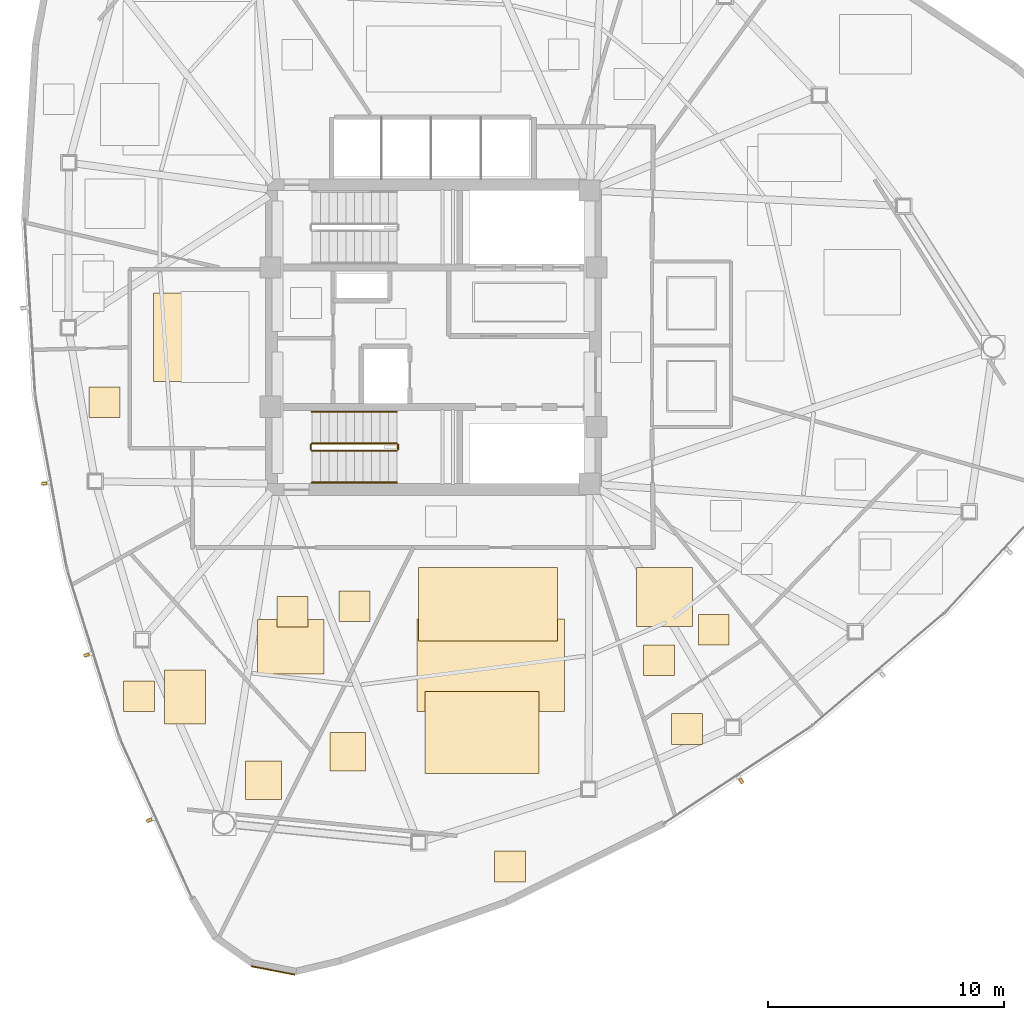
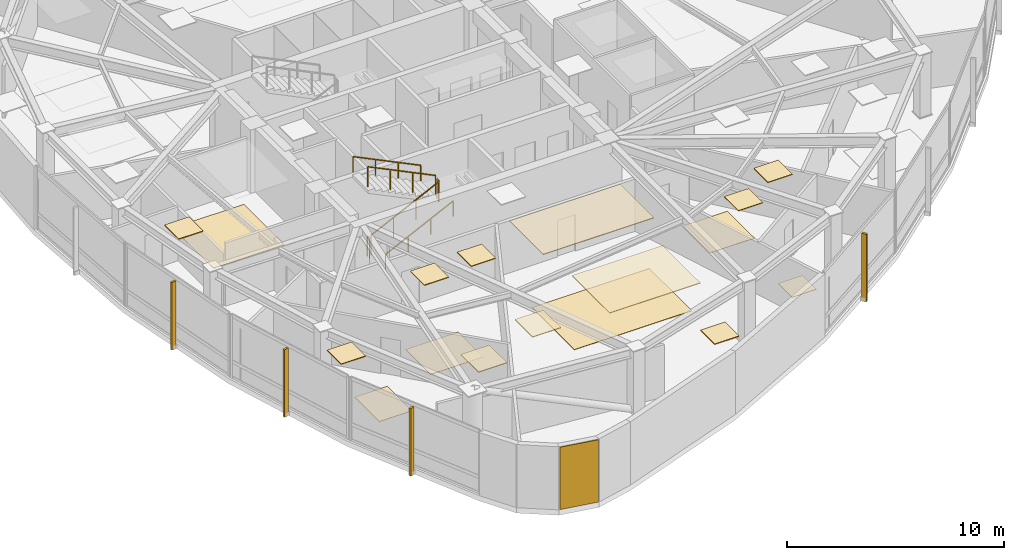
# One storey, part 14 of 17: 18 coverings, 6 railings, 4 shading devices.
"""IFC4 building model written with IfcOpenShell, lengths in metres."""

from ifc_helpers import new_model, si_unit, direction, frame, origin, origin_2d, place, context, subcontext, project, spatial, polyline, rectangle, outline, extrude, source, transform, mapped, material, layer, layer_set, type_object, type_shapes, element, save


model = new_model("IFC4")

# Units and contexts
model_context = context("Model", 3, precision=1e-05, world=origin(), true_north=direction((0.0, 1.0)))
body_context = subcontext(model_context, "Body", "Model", "MODEL_VIEW")
ifc_project = project(units=[si_unit("LENGTHUNIT", "METRE"), si_unit("AREAUNIT", "SQUARE_METRE"), si_unit("VOLUMEUNIT", "CUBIC_METRE"), si_unit("PLANEANGLEUNIT", "RADIAN"), si_unit("MASSUNIT", "GRAM", prefix="KILO")], contexts=[model_context])

# Site, building, storey
site_placement = place(None, origin())
site = spatial("IfcSite", under=ifc_project, at=site_placement, CompositionType="ELEMENT")
building_placement = place(site_placement, origin())
building = spatial("IfcBuilding", under=site, at=building_placement, Name="Tavelor Broadcast Tower", CompositionType="ELEMENT")
storey_placement = place(building_placement, frame((0.0, 0.0, 188.75)))
storey = spatial("IfcBuildingStorey", under=building, at=storey_placement, Name="L45", CompositionType="ELEMENT", Elevation=188.75)

# Covering
ifc_material_1 = material(Name="Copper-Bronze Anodized Aluminium", Category="aluminium")
ifc_layer_1 = layer(ifc_material_1, 0.050048828125)
ifc_layer_set_1 = layer_set([ifc_layer_1], Name="Copper-Bronze Anodized Aluminium")
covering_type_1 = type_object("IfcCoveringType", Name="Champagne-Bronze Corner Pier Metal Cladding 50 mm", PredefinedType="CLADDING", material=ifc_layer_set_1)
covering_1_placement = place(storey_placement, frame((43.215087890625, 18.20751953125, 0.02001953125), z_axis=(0.0, 0.0, 1.0), x_axis=(0.981793321911, -0.189952291512, 0.0)))
element("IfcCovering", 1, at=covering_1_placement, inside=storey, type_object=covering_type_1, Name="L45 Champagne-Bronze Corner Cladding 13", PredefinedType="CLADDING", context=body_context, shape_type="SweptSolid", body=[
    extrude(rectangle(XDim=1.86279296875, YDim=0.050048828125, at=origin_2d()), origin(), (0.0, 0.0, 1.0), 3.510009765625),
])

# Railings
ifc_material_2 = material(Name="Steel S355", Category="steel")
railing_type_1 = type_object("IfcRailingType", Name="Continuous Brushed Stainless Handrail 900 mm", PredefinedType="HANDRAIL", material=ifc_material_2)
railing_1_placement = place(storey_placement, frame((44.85009765625, 38.85009765625, 0.175048828125)))
element("IfcRailing", 2, at=railing_1_placement, inside=storey, type_object=railing_type_1, Name="L45 ST2 stair handrail 1", PredefinedType="HANDRAIL", context=body_context, shape_type="SweptSolid", body=[
    extrude(rectangle(XDim=0.048095703125, YDim=0.048095703125, at=origin_2d()), frame((0.0, 0.0, 0.8759765625), z_axis=(0.899360859046, 0.0, 0.437207096483), x_axis=(0.0, 1.0, 0.0)), (0.0, 0.0, 1.0), 4.002685546875),
    extrude(rectangle(XDim=0.0419921875, YDim=0.0419921875, at=origin_2d()), origin(), (0.0, 0.0, 1.0), 0.851806640625),
    extrude(rectangle(XDim=0.0419921875, YDim=0.0419921875, at=origin_2d()), frame((1.199951171875, 0.0, 0.583251953125)), (0.0, 0.0, 1.0), 0.851806640625),
    extrude(rectangle(XDim=0.0419921875, YDim=0.0419921875, at=origin_2d()), frame((2.39990234375, 0.0, 1.166748046875)), (0.0, 0.0, 1.0), 0.851806640625),
    extrude(rectangle(XDim=0.0419921875, YDim=0.0419921875, at=origin_2d()), frame((3.599853515625, 0.0, 1.75)), (0.0, 0.0, 1.0), 0.851806640625),
])
railing_2_placement = place(storey_placement, frame((48.449951171875, 41.85009765625, 2.10009765625)))
element("IfcRailing", 3, at=railing_2_placement, inside=storey, type_object=railing_type_1, Name="L45 ST2 stair handrail 2", PredefinedType="HANDRAIL", context=body_context, shape_type="SweptSolid", body=[
    extrude(rectangle(XDim=0.048095703125, YDim=0.048095703125, at=origin_2d()), frame((0.0, 0.0, 0.8759765625), z_axis=(-0.899360859046, 0.0, 0.437207096483), x_axis=(0.0, -1.0, 0.0)), (0.0, 0.0, 1.0), 4.002685546875),
    extrude(rectangle(XDim=0.0419921875, YDim=0.0419921875, at=origin_2d()), origin(), (0.0, 0.0, 1.0), 0.851806640625),
    extrude(rectangle(XDim=0.0419921875, YDim=0.0419921875, at=origin_2d()), frame((-1.199951171875, 0.0, 0.583251953125)), (0.0, 0.0, 1.0), 0.851806640625),
    extrude(rectangle(XDim=0.0419921875, YDim=0.0419921875, at=origin_2d()), frame((-2.39990234375, 0.0, 1.166748046875)), (0.0, 0.0, 1.0), 0.851806640625),
    extrude(rectangle(XDim=0.0419921875, YDim=0.0419921875, at=origin_2d()), frame((-3.599853515625, 0.0, 1.75)), (0.0, 0.0, 1.0), 0.851806640625),
])

# Coverings
ifc_material_3 = material(Name="Acoustic Nylon Carpet Tile")
ifc_layer_2 = layer(ifc_material_3, 0.02001953125)
ifc_layer_set_2 = layer_set([ifc_layer_2], Name="Acoustic Nylon Carpet Tile")
covering_type_2 = type_object("IfcCoveringType", Name="Heavy-Duty Acoustic Broadcast Carpet Tile 20 mm", PredefinedType="FLOORING", material=ifc_layer_set_2)
covering_2_placement = place(storey_placement, origin())
element("IfcCovering", 4, at=covering_2_placement, inside=storey, type_object=covering_type_2, Name="L45 Broadcast Floor Finish 0675", PredefinedType="FLOORING", context=body_context, shape_type="SweptSolid", body=[
    extrude(outline(polyline([(38.15771484375, 43.12890625), (41.942138671875, 43.12890625), (41.942138671875, 46.87060546875), (38.15771484375, 46.87060546875), (38.15771484375, 43.12890625)])), origin(), (0.0, 0.0, 1.0), 0.02001953125),
])
covering_3_placement = place(storey_placement, origin())
element("IfcCovering", 5, at=covering_3_placement, inside=storey, type_object=covering_type_2, Name="L45 Broadcast Floor Finish 0680", PredefinedType="FLOORING", context=body_context, shape_type="SweptSolid", body=[
    extrude(outline(polyline([(60.071533203125, 27.77685546875), (61.37158203125, 27.77685546875), (61.37158203125, 29.076904296875), (60.071533203125, 29.076904296875), (60.071533203125, 27.77685546875)])), origin(), (0.0, 0.0, 1.0), 0.02001953125),
])
covering_4_placement = place(storey_placement, origin())
element("IfcCovering", 6, at=covering_4_placement, inside=storey, type_object=covering_type_2, Name="L45 Broadcast Floor Finish 0681", PredefinedType="FLOORING", context=body_context, shape_type="SweptSolid", body=[
    extrude(outline(polyline([(49.29248046875, 29.156982421875), (55.537353515625, 29.156982421875), (55.537353515625, 33.07080078125), (49.29248046875, 33.07080078125), (49.29248046875, 29.156982421875)])), origin(), (0.0, 0.0, 1.0), 0.02001953125),
])
covering_5_placement = place(storey_placement, origin())
element("IfcCovering", 7, at=covering_5_placement, inside=storey, type_object=covering_type_2, Name="L45 Broadcast Floor Finish 0682", PredefinedType="FLOORING", context=body_context, shape_type="SweptSolid", body=[
    extrude(outline(polyline([(38.626953125, 28.643798828125), (40.3623046875, 28.643798828125), (40.3623046875, 30.92333984375), (38.626953125, 30.92333984375), (38.626953125, 28.643798828125)])), origin(), (0.0, 0.0, 1.0), 0.02001953125),
])
covering_6_placement = place(storey_placement, origin())
element("IfcCovering", 8, at=covering_6_placement, inside=storey, type_object=covering_type_2, Name="L45 Broadcast Floor Finish 0688", PredefinedType="FLOORING", context=body_context, shape_type="SweptSolid", body=[
    extrude(outline(polyline([(58.586181640625, 32.7587890625), (60.952392578125, 32.7587890625), (60.952392578125, 35.264892578125), (58.586181640625, 35.264892578125), (58.586181640625, 32.7587890625)])), origin(), (0.0, 0.0, 1.0), 0.02001953125),
])
covering_7_placement = place(storey_placement, origin())
element("IfcCovering", 9, at=covering_7_placement, inside=storey, type_object=covering_type_2, Name="L45 Broadcast Floor Finish 0689", PredefinedType="FLOORING", context=body_context, shape_type="SweptSolid", body=[
    extrude(outline(polyline([(42.562744140625, 30.74267578125), (45.366943359375, 30.74267578125), (45.366943359375, 33.064208984375), (42.562744140625, 33.064208984375), (42.562744140625, 30.74267578125)])), origin(), (0.0, 0.0, 1.0), 0.02001953125),
])

# Railings
railing_type_2 = type_object("IfcRailingType", Name="Stairwell Steel Safety Guardrail 1150 mm", PredefinedType="GUARDRAIL", material=ifc_material_2)
railing_3_placement = place(storey_placement, frame((44.85009765625, 40.199951171875, 0.175048828125)))
element("IfcRailing", 10, at=railing_3_placement, inside=storey, type_object=railing_type_2, Name="L45 ST2 stair guard 1", PredefinedType="GUARDRAIL", context=body_context, shape_type="SweptSolid", body=[
    extrude(rectangle(XDim=0.048095703125, YDim=0.048095703125, at=origin_2d()), frame((0.0, 0.0, 1.1259765625), z_axis=(0.899360859046, 0.0, 0.437207096483), x_axis=(0.0, 1.0, 0.0)), (0.0, 0.0, 1.0), 4.002685546875),
    extrude(rectangle(XDim=0.0419921875, YDim=0.0419921875, at=origin_2d()), origin(), (0.0, 0.0, 1.0), 1.101806640625),
    extrude(rectangle(XDim=0.0419921875, YDim=0.0419921875, at=origin_2d()), frame((1.199951171875, 0.0, 0.583251953125)), (0.0, 0.0, 1.0), 1.101806640625),
    extrude(rectangle(XDim=0.0419921875, YDim=0.0419921875, at=origin_2d()), frame((2.39990234375, 0.0, 1.166748046875)), (0.0, 0.0, 1.0), 1.101806640625),
    extrude(rectangle(XDim=0.0419921875, YDim=0.0419921875, at=origin_2d()), frame((3.599853515625, 0.0, 1.75)), (0.0, 0.0, 1.0), 1.101806640625),
])
railing_4_placement = place(storey_placement, frame((48.5, 40.25, 1.925048828125)))
element("IfcRailing", 11, at=railing_4_placement, inside=storey, type_object=railing_type_2, Name="L45 ST2 stair guard 2", PredefinedType="GUARDRAIL", context=body_context, shape_type="SweptSolid", body=[
    extrude(rectangle(XDim=0.048095703125, YDim=0.048095703125, at=origin_2d()), frame((0.0, 0.0, 1.1259765625), z_axis=(0.0, 1.0, 0.0), x_axis=(-1.0, 0.0, 0.0)), (0.0, 0.0, 1.0), 0.199951171875),
    extrude(rectangle(XDim=0.0419921875, YDim=0.0419921875, at=origin_2d()), origin(), (0.0, 0.0, 1.0), 1.101806640625),
    extrude(rectangle(XDim=0.0419921875, YDim=0.0419921875, at=origin_2d()), frame((0.0, 0.199951171875, 0.0)), (0.0, 0.0, 1.0), 1.101806640625),
])
railing_5_placement = place(storey_placement, frame((48.449951171875, 40.5, 2.10009765625)))
element("IfcRailing", 12, at=railing_5_placement, inside=storey, type_object=railing_type_2, Name="L45 ST2 stair guard 3", PredefinedType="GUARDRAIL", context=body_context, shape_type="SweptSolid", body=[
    extrude(rectangle(XDim=0.048095703125, YDim=0.048095703125, at=origin_2d()), frame((0.0, 0.0, 1.1259765625), z_axis=(-0.899360859046, 0.0, 0.437207096483), x_axis=(0.0, -1.0, 0.0)), (0.0, 0.0, 1.0), 4.002685546875),
    extrude(rectangle(XDim=0.0419921875, YDim=0.0419921875, at=origin_2d()), origin(), (0.0, 0.0, 1.0), 1.101806640625),
    extrude(rectangle(XDim=0.0419921875, YDim=0.0419921875, at=origin_2d()), frame((-1.199951171875, 0.0, 0.583251953125)), (0.0, 0.0, 1.0), 1.101806640625),
    extrude(rectangle(XDim=0.0419921875, YDim=0.0419921875, at=origin_2d()), frame((-2.39990234375, 0.0, 1.166748046875)), (0.0, 0.0, 1.0), 1.101806640625),
    extrude(rectangle(XDim=0.0419921875, YDim=0.0419921875, at=origin_2d()), frame((-3.599853515625, 0.0, 1.75)), (0.0, 0.0, 1.0), 1.101806640625),
])
railing_6_placement = place(storey_placement, frame((44.800048828125, 40.25, 0.0)))
element("IfcRailing", 13, at=railing_6_placement, inside=storey, type_object=railing_type_2, Name="L45 ST2 stair guard 4", PredefinedType="GUARDRAIL", context=body_context, shape_type="SweptSolid", body=[
    extrude(rectangle(XDim=0.048095703125, YDim=0.048095703125, at=origin_2d()), frame((0.0, 0.0, 1.1259765625), z_axis=(0.0, 1.0, 0.0), x_axis=(-1.0, 0.0, 0.0)), (0.0, 0.0, 1.0), 0.199951171875),
    extrude(rectangle(XDim=0.0419921875, YDim=0.0419921875, at=origin_2d()), origin(), (0.0, 0.0, 1.0), 1.101806640625),
    extrude(rectangle(XDim=0.0419921875, YDim=0.0419921875, at=origin_2d()), frame((0.0, 0.199951171875, 0.0)), (0.0, 0.0, 1.0), 1.101806640625),
])

# Coverings
ifc_material_4 = material(Name="Acoustic Mineral Fibre Tile")
ifc_layer_3 = layer(ifc_material_4, 0.0400390625)
ifc_layer_set_3 = layer_set([ifc_layer_3], Name="Acoustic Mineral Fibre Tile")
covering_type_3 = type_object("IfcCoveringType", Name="Suspended Acoustic Mineral-Fibre Office Ceiling 40 mm", PredefinedType="CEILING", material=ifc_layer_set_3)
covering_8_placement = place(storey_placement, frame((0.0, 0.0, 3.510009765625)))
element("IfcCovering", 14, at=covering_8_placement, inside=storey, type_object=covering_type_3, Name="L45 Suspended Acoustic Ceiling 1886", PredefinedType="CEILING", context=body_context, shape_type="SweptSolid", body=[
    extrude(outline(polyline([(52.586669921875, 21.950927734375), (53.88671875, 21.950927734375), (53.88671875, 23.2509765625), (52.586669921875, 23.2509765625), (52.586669921875, 21.950927734375)])), origin(), (0.0, 0.0, 1.0), 0.0400390625),
])
covering_9_placement = place(storey_placement, frame((0.0, 0.0, 3.510009765625)))
element("IfcCovering", 15, at=covering_9_placement, inside=storey, type_object=covering_type_3, Name="L45 Suspended Acoustic Ceiling 1887", PredefinedType="CEILING", context=body_context, shape_type="SweptSolid", body=[
    extrude(outline(polyline([(49.649658203125, 26.537353515625), (54.472900390625, 26.537353515625), (54.472900390625, 30.00244140625), (49.649658203125, 30.00244140625), (49.649658203125, 26.537353515625)])), origin(), (0.0, 0.0, 1.0), 0.0400390625),
])
covering_10_placement = place(storey_placement, frame((0.0, 0.0, 3.510009765625)))
element("IfcCovering", 16, at=covering_10_placement, inside=storey, type_object=covering_type_3, Name="L45 Suspended Acoustic Ceiling 1888", PredefinedType="CEILING", context=body_context, shape_type="SweptSolid", body=[
    extrude(outline(polyline([(45.611083984375, 26.639404296875), (47.125732421875, 26.639404296875), (47.125732421875, 28.2666015625), (45.611083984375, 28.2666015625), (45.611083984375, 26.639404296875)])), origin(), (0.0, 0.0, 1.0), 0.0400390625),
])
covering_11_placement = place(storey_placement, frame((0.0, 0.0, 3.510009765625)))
element("IfcCovering", 17, at=covering_11_placement, inside=storey, type_object=covering_type_3, Name="L45 Suspended Acoustic Ceiling 1889", PredefinedType="CEILING", context=body_context, shape_type="SweptSolid", body=[
    extrude(outline(polyline([(49.35595703125, 32.136474609375), (55.2373046875, 32.136474609375), (55.2373046875, 35.248046875), (49.35595703125, 35.248046875), (49.35595703125, 32.136474609375)])), origin(), (0.0, 0.0, 1.0), 0.0400390625),
])
covering_12_placement = place(storey_placement, frame((0.0, 0.0, 3.510009765625)))
element("IfcCovering", 18, at=covering_12_placement, inside=storey, type_object=covering_type_3, Name="L45 Suspended Acoustic Ceiling 1890", PredefinedType="CEILING", context=body_context, shape_type="SweptSolid", body=[
    extrude(outline(polyline([(36.8955078125, 29.158935546875), (38.195556640625, 29.158935546875), (38.195556640625, 30.458984375), (36.8955078125, 30.458984375), (36.8955078125, 29.158935546875)])), origin(), (0.0, 0.0, 1.0), 0.0400390625),
])
covering_13_placement = place(storey_placement, frame((0.0, 0.0, 3.510009765625)))
element("IfcCovering", 19, at=covering_13_placement, inside=storey, type_object=covering_type_3, Name="L45 Suspended Acoustic Ceiling 1891", PredefinedType="CEILING", context=body_context, shape_type="SweptSolid", body=[
    extrude(outline(polyline([(42.05078125, 25.444091796875), (43.567626953125, 25.444091796875), (43.567626953125, 27.078369140625), (42.05078125, 27.078369140625), (42.05078125, 25.444091796875)])), origin(), (0.0, 0.0, 1.0), 0.0400390625),
])
covering_14_placement = place(storey_placement, frame((0.0, 0.0, 3.510009765625)))
element("IfcCovering", 20, at=covering_14_placement, inside=storey, type_object=covering_type_3, Name="L45 Suspended Acoustic Ceiling 1892", PredefinedType="CEILING", context=body_context, shape_type="SweptSolid", body=[
    extrude(outline(polyline([(35.433837890625, 41.596923828125), (36.73388671875, 41.596923828125), (36.73388671875, 42.89697265625), (35.433837890625, 42.89697265625), (35.433837890625, 41.596923828125)])), origin(), (0.0, 0.0, 1.0), 0.0400390625),
])
covering_15_placement = place(storey_placement, frame((0.0, 0.0, 3.510009765625)))
element("IfcCovering", 21, at=covering_15_placement, inside=storey, type_object=covering_type_3, Name="L45 Suspended Acoustic Ceiling 1908", PredefinedType="CEILING", context=body_context, shape_type="SweptSolid", body=[
    extrude(outline(polyline([(61.2041015625, 31.97509765625), (62.504150390625, 31.97509765625), (62.504150390625, 33.275146484375), (61.2041015625, 33.275146484375), (61.2041015625, 31.97509765625)])), origin(), (0.0, 0.0, 1.0), 0.0400390625),
])
covering_16_placement = place(storey_placement, frame((0.0, 0.0, 3.510009765625)))
element("IfcCovering", 22, at=covering_16_placement, inside=storey, type_object=covering_type_3, Name="L45 Suspended Acoustic Ceiling 1909", PredefinedType="CEILING", context=body_context, shape_type="SweptSolid", body=[
    extrude(outline(polyline([(58.888427734375, 30.684326171875), (60.1884765625, 30.684326171875), (60.1884765625, 31.984375), (58.888427734375, 31.984375), (58.888427734375, 30.684326171875)])), origin(), (0.0, 0.0, 1.0), 0.0400390625),
])
covering_17_placement = place(storey_placement, frame((0.0, 0.0, 3.510009765625)))
element("IfcCovering", 23, at=covering_17_placement, inside=storey, type_object=covering_type_3, Name="L45 Suspended Acoustic Ceiling 1910", PredefinedType="CEILING", context=body_context, shape_type="SweptSolid", body=[
    extrude(outline(polyline([(43.381591796875, 32.73583984375), (44.681640625, 32.73583984375), (44.681640625, 34.035888671875), (43.381591796875, 34.035888671875), (43.381591796875, 32.73583984375)])), origin(), (0.0, 0.0, 1.0), 0.0400390625),
])
covering_18_placement = place(storey_placement, frame((0.0, 0.0, 3.510009765625)))
element("IfcCovering", 24, at=covering_18_placement, inside=storey, type_object=covering_type_3, Name="L45 Suspended Acoustic Ceiling 1911", PredefinedType="CEILING", context=body_context, shape_type="SweptSolid", body=[
    extrude(outline(polyline([(46.007080078125, 32.970703125), (47.30712890625, 32.970703125), (47.30712890625, 34.270751953125), (46.007080078125, 34.270751953125), (46.007080078125, 32.970703125)])), origin(), (0.0, 0.0, 1.0), 0.0400390625),
])

# Shading devices
ifc_material_5 = material(Name="Kiln-Fired Glazed Terracotta", Category="masonry")
shading_device_type = type_object("IfcShadingDeviceType", Name="Extruded Terracotta Baguette Sun-Screen 110x240", PredefinedType="JALOUSIE", material=ifc_material_5)
shared_shape = source(origin(), body_context, "Body", "SweptSolid", [
    extrude(rectangle(XDim=0.110107421875, YDim=0.239990234375, at=origin_2d()), origin(), (0.0, 0.0, 1.0), 3.7900390625),
])
type_shapes(shading_device_type, [shared_shape])
for number, where, z_axis, x_axis, name in (
    (25, (33.527587890625, 38.8056640625, -0.260009765625), (0.0, 0.0, 1.0), (0.180175803048, -0.983634423958, 0.0), "L45 Terracotta Baguette Fin 470"),
    (26, (35.3173828125, 31.546875, -0.260009765625), (0.0, 0.0, 1.0), (0.297874744877, -0.954604963513, 0.0), "L45 Terracotta Baguette Fin 471"),
    (27, (37.972412109375, 24.557861328125, -0.260009765625), (0.0, 0.0, 1.0), (0.411196193781, -0.911546866716, 0.0), "L45 Terracotta Baguette Fin 472"),
    (28, (63.02197265625, 26.22509765625, -0.260009765625), (0.0, 0.0, 1.0), (0.834655658378, 0.550772123421, 0.0), "L45 Terracotta Baguette Fin 473"),
):
    element("IfcShadingDevice", number, at=place(storey_placement, frame(where, z_axis=z_axis, x_axis=x_axis)), inside=storey, type_object=shading_device_type, Name=name, PredefinedType="JALOUSIE", context=body_context, shape_type="MappedRepresentation", body=[
        mapped(shared_shape, transform((0.0, 0.0, 0.0), scale=1.0)),
    ])

save(model, "model.ifc")
